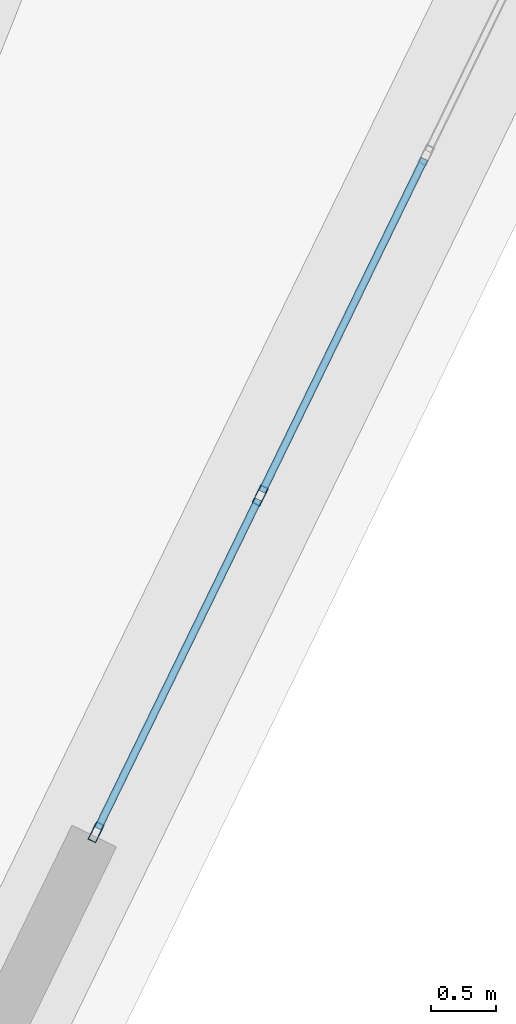
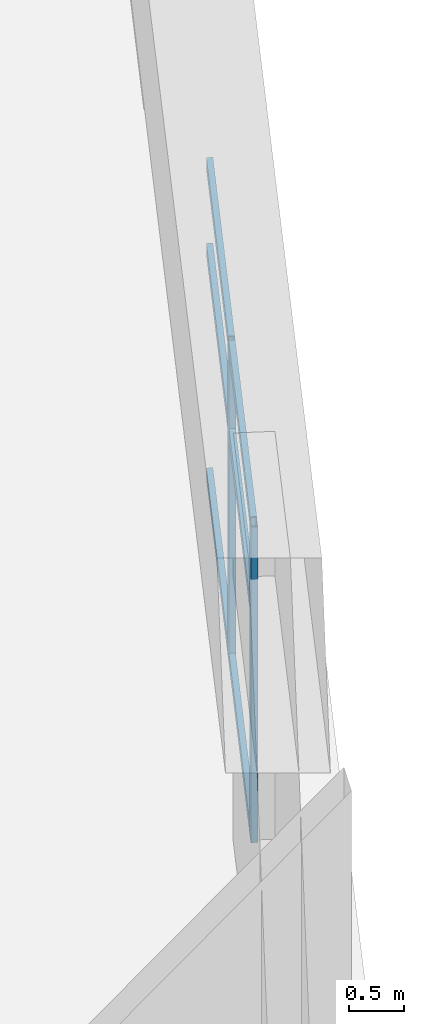
# One storey, part 16 of 40: 8 members, 1 element without a shape of its own.
"""IFC4 building model written with IfcOpenShell, lengths in metres."""

from ifc_helpers import new_model, si_unit, direction, frame, origin, origin_2d, place, context, subcontext, project, spatial, hollow_rectangle, extrude, source, transform, mapped, material, layer, layer_set, material_profile, profile_set, type_object, element, aggregate, save


model = new_model("IFC4")

# Units and contexts
model_context = context("Model", 3, precision=1e-05, world=origin(), true_north=direction((0.0, 1.0)))
body_context = subcontext(model_context, "Body", "Model", "MODEL_VIEW")
ifc_project = project(units=[si_unit("LENGTHUNIT", "METRE"), si_unit("AREAUNIT", "SQUARE_METRE"), si_unit("VOLUMEUNIT", "CUBIC_METRE"), si_unit("PLANEANGLEUNIT", "RADIAN"), si_unit("MASSUNIT", "GRAM", prefix="KILO")], contexts=[model_context])

# Site, building, storey
site_placement = place(None, origin())
site = spatial("IfcSite", under=ifc_project, at=site_placement, CompositionType="ELEMENT")
building_placement = place(site_placement, origin())
building = spatial("IfcBuilding", under=site, at=building_placement, Name="Liaohun Quay Tower", CompositionType="ELEMENT")
storey_placement = place(building_placement, frame((0.0, 0.0, 351.0)))
storey = spatial("IfcBuildingStorey", under=building, at=storey_placement, Name="L91", CompositionType="ELEMENT", Elevation=351.0)

# Curtain wall, members
ifc_material_1 = material(Name="Observation gallery panoramic triple-glazed curtain wall")
ifc_layer = layer(ifc_material_1, 0.219970703125, Name="Observation gallery panoramic triple-glazed curtain wall")
ifc_layer_set = layer_set([ifc_layer], Name="Observation gallery panoramic triple-glazed curtain wall")
curtain_wall_type = type_object("IfcCurtainWallType", Name="CW-OBS-CRN", PredefinedType="NOTDEFINED", material=ifc_layer_set)
curtain_wall_placement = place(storey_placement, origin())
curtain_wall = element("IfcCurtainWall", 1, at=curtain_wall_placement, inside=storey, type_object=curtain_wall_type, Name="L91 Panoramic Belvedere Curtain Wall 02", PredefinedType="NOTDEFINED")
ifc_material_2 = material(Name="Anodised aluminium 6063-T6", Category="aluminium")
ifc_material_profile_1 = material_profile(ifc_material_2, hollow_rectangle(XDim=0.06494140625, YDim=0.14990234375, WallThickness=0.00390625, at=origin_2d()), Name="RHS150x65x4")
ifc_profile_set_1 = profile_set([ifc_material_profile_1], Name="Anodised aluminium 6063-T6")
member_type_1 = type_object("IfcMemberType", Name="MEM-CWM-SKY", PredefinedType="MULLION", material=ifc_profile_set_1)
shared_shape_1 = source(origin(), body_context, "Body", "SweptSolid", [
    extrude(hollow_rectangle(XDim=0.06494140625, YDim=0.14990234375, WallThickness=0.00390625, at=origin_2d()), origin(), (0.0, 0.0, 1.0), 3.5),
])
member_1_placement = place(storey_placement, frame((80.311279296875, 48.17529296875, 0.0), z_axis=(0.0, 0.0, 1.0), x_axis=(-0.89884796544, 0.438260578908, 0.0)))
member_1 = element("IfcMember", 2, at=member_1_placement, type_object=member_type_1, Name="CW6 mullion 1", PredefinedType="MULLION", context=body_context, shape_type="MappedRepresentation", body=[
    mapped(shared_shape_1, transform((0.0, 0.0, 0.0), x_axis=(1.0, 0.0, 0.0), y_axis=(0.0, 1.0, 0.0), z_axis=(0.0, 0.0, 1.0), scale=1.0)),
])
member_2_placement = place(storey_placement, frame((81.568115234375, 50.752685546875, 0.0), z_axis=(0.0, 0.0, 1.0), x_axis=(-0.89884796544, 0.438260578908, 0.0)))
member_2 = element("IfcMember", 3, at=member_2_placement, type_object=member_type_1, Name="CW6 mullion 2", PredefinedType="MULLION", context=body_context, shape_type="MappedRepresentation", body=[
    mapped(shared_shape_1, transform((0.0, 0.0, 0.0), x_axis=(1.0, 0.0, 0.0), y_axis=(0.0, 1.0, 0.0), z_axis=(0.0, 0.0, 1.0), scale=1.0)),
])
ifc_material_profile_2 = material_profile(ifc_material_2, hollow_rectangle(XDim=0.06005859375, YDim=0.135009765625, WallThickness=0.00390625, at=origin_2d()), Name="RHS135x60x4")
ifc_profile_set_2 = profile_set([ifc_material_profile_2], Name="Anodised aluminium 6063-T6")
member_type_2 = type_object("IfcMemberType", Name="MEM-CWT-SKY", PredefinedType="USERDEFINED", material=ifc_profile_set_2)
shared_shape_2 = source(origin(), body_context, "Body", "SweptSolid", [
    extrude(hollow_rectangle(XDim=0.06005859375, YDim=0.135009765625, WallThickness=0.00390625, at=origin_2d()), origin(), (0.0, 0.0, 1.0), 2.802734375),
])
member_3_placement = place(storey_placement, frame((80.325439453125, 48.204345703125, 0.030029296875), z_axis=(0.438236557516, 0.898859677401, 0.0), x_axis=(-0.898859677401, 0.438236557516, 0.0)))
member_3 = element("IfcMember", 4, at=member_3_placement, type_object=member_type_2, Name="CW6 transom 1.1", ObjectType="TRANSOM", PredefinedType="USERDEFINED", context=body_context, shape_type="MappedRepresentation", body=[
    mapped(shared_shape_2, transform((0.0, 0.0, 0.0), x_axis=(1.0, 0.0, 0.0), y_axis=(0.0, 1.0, 0.0), z_axis=(0.0, 0.0, 1.0), scale=1.0)),
])
member_4_placement = place(storey_placement, frame((80.325439453125, 48.204345703125, 2.52001953125), z_axis=(0.438236557516, 0.898859677401, 0.0), x_axis=(-0.898859677401, 0.438236557516, 0.0)))
member_4 = element("IfcMember", 5, at=member_4_placement, type_object=member_type_2, Name="CW6 transom 1.2", ObjectType="TRANSOM", PredefinedType="USERDEFINED", context=body_context, shape_type="MappedRepresentation", body=[
    mapped(shared_shape_2, transform((0.0, 0.0, 0.0), x_axis=(1.0, 0.0, 0.0), y_axis=(0.0, 1.0, 0.0), z_axis=(0.0, 0.0, 1.0), scale=1.0)),
])
member_5_placement = place(storey_placement, frame((80.325439453125, 48.204345703125, 3.469970703125), z_axis=(0.438236557516, 0.898859677401, 0.0), x_axis=(-0.898859677401, 0.438236557516, 0.0)))
member_5 = element("IfcMember", 6, at=member_5_placement, type_object=member_type_2, Name="CW6 transom 1.3", ObjectType="TRANSOM", PredefinedType="USERDEFINED", context=body_context, shape_type="MappedRepresentation", body=[
    mapped(shared_shape_2, transform((0.0, 0.0, 0.0), x_axis=(1.0, 0.0, 0.0), y_axis=(0.0, 1.0, 0.0), z_axis=(0.0, 0.0, 1.0), scale=1.0)),
])
shared_shape_3 = source(origin(), body_context, "Body", "SweptSolid", [
    extrude(hollow_rectangle(XDim=0.06005859375, YDim=0.135009765625, WallThickness=0.00390625, at=origin_2d()), origin(), (0.0, 0.0, 1.0), 2.8349609375),
])
member_6_placement = place(storey_placement, frame((81.582275390625, 50.781982421875, 0.030029296875), z_axis=(0.438235296667, 0.898860292123, 0.0), x_axis=(-0.898860292123, 0.438235296667, 0.0)))
member_6 = element("IfcMember", 7, at=member_6_placement, type_object=member_type_2, Name="CW6 transom 2.1", ObjectType="TRANSOM", PredefinedType="USERDEFINED", context=body_context, shape_type="MappedRepresentation", body=[
    mapped(shared_shape_3, transform((0.0, 0.0, 0.0), x_axis=(1.0, 0.0, 0.0), y_axis=(0.0, 1.0, 0.0), z_axis=(0.0, 0.0, 1.0), scale=1.0)),
])
member_7_placement = place(storey_placement, frame((81.582275390625, 50.781982421875, 2.52001953125), z_axis=(0.438235296667, 0.898860292123, 0.0), x_axis=(-0.898860292123, 0.438235296667, 0.0)))
member_7 = element("IfcMember", 8, at=member_7_placement, type_object=member_type_2, Name="CW6 transom 2.2", ObjectType="TRANSOM", PredefinedType="USERDEFINED", context=body_context, shape_type="MappedRepresentation", body=[
    mapped(shared_shape_3, transform((0.0, 0.0, 0.0), x_axis=(1.0, 0.0, 0.0), y_axis=(0.0, 1.0, 0.0), z_axis=(0.0, 0.0, 1.0), scale=1.0)),
])
member_8_placement = place(storey_placement, frame((81.582275390625, 50.781982421875, 3.469970703125), z_axis=(0.438235296667, 0.898860292123, 0.0), x_axis=(-0.898860292123, 0.438235296667, 0.0)))
member_8 = element("IfcMember", 9, at=member_8_placement, type_object=member_type_2, Name="CW6 transom 2.3", ObjectType="TRANSOM", PredefinedType="USERDEFINED", context=body_context, shape_type="MappedRepresentation", body=[
    mapped(shared_shape_3, transform((0.0, 0.0, 0.0), x_axis=(1.0, 0.0, 0.0), y_axis=(0.0, 1.0, 0.0), z_axis=(0.0, 0.0, 1.0), scale=1.0)),
])
aggregate(curtain_wall, [member_1, member_2, member_3, member_4, member_5, member_6, member_7, member_8])

save(model, "model.ifc")
